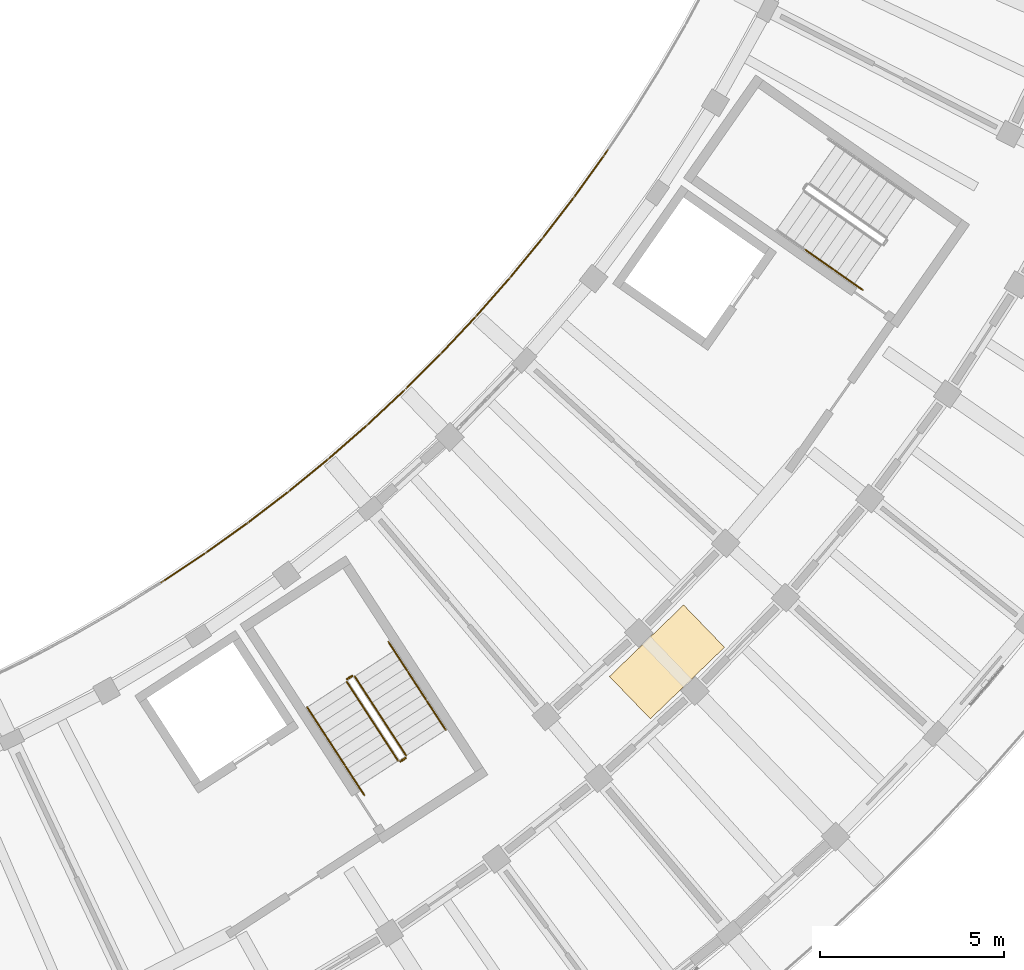
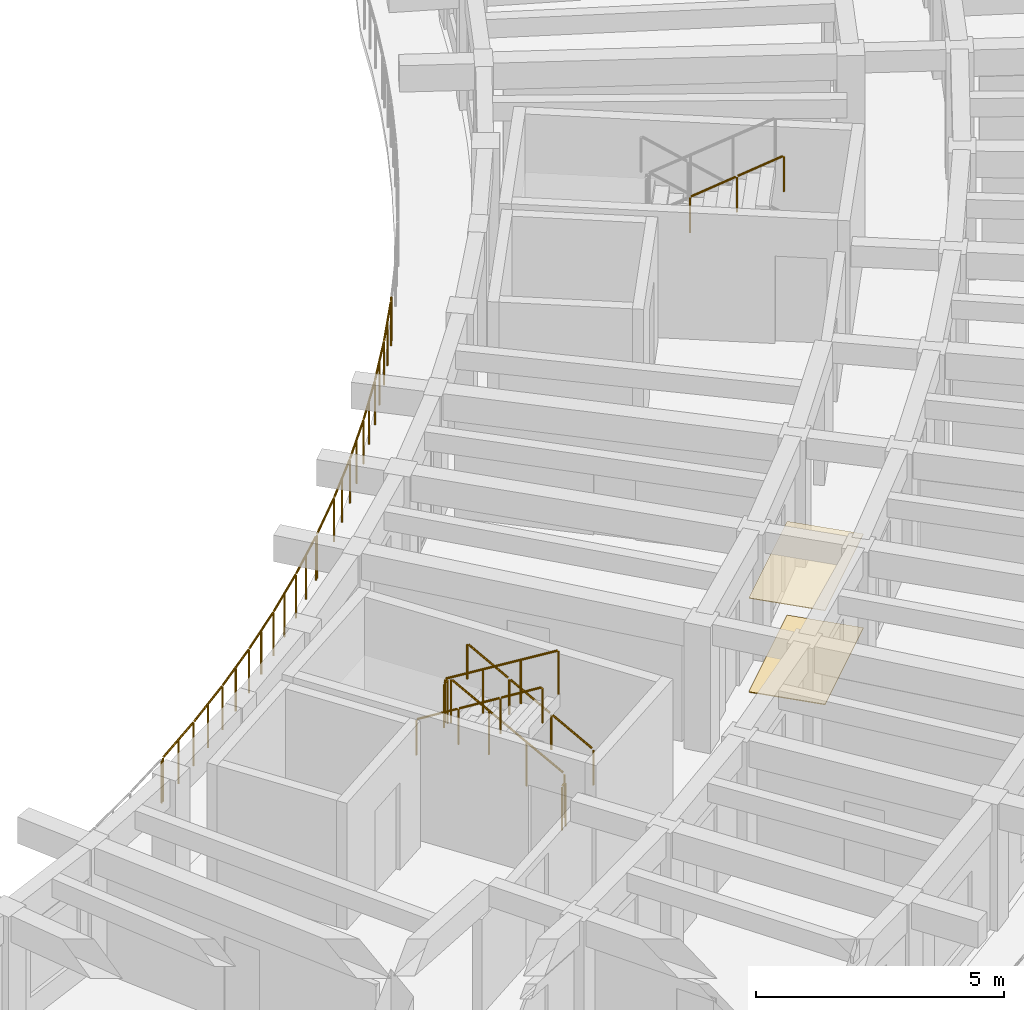
# One storey, part 75 of 81: 14 railings, 2 coverings.
"""IFC4 building model written with IfcOpenShell, lengths in metres."""

from ifc_helpers import new_model, si_unit, direction, frame, origin, origin_2d, place, context, subcontext, project, spatial, rectangle, circle, extrude, material, layer, layer_set, type_object, element, save


model = new_model("IFC4")

# Units and contexts
model_context = context("Model", 3, precision=1e-05, world=origin(), true_north=direction((0.0, 1.0)))
body_context = subcontext(model_context, "Body", "Model", "MODEL_VIEW")
ifc_project = project(units=[si_unit("LENGTHUNIT", "METRE"), si_unit("AREAUNIT", "SQUARE_METRE"), si_unit("VOLUMEUNIT", "CUBIC_METRE"), si_unit("PLANEANGLEUNIT", "RADIAN"), si_unit("MASSUNIT", "GRAM", prefix="KILO")], contexts=[model_context])

# Site, building, storey
site_placement = place(None, origin())
site = spatial("IfcSite", under=ifc_project, at=site_placement, CompositionType="ELEMENT")
building_placement = place(site_placement, origin())
building = spatial("IfcBuilding", under=site, at=building_placement, Name="Tanwirah Colonnade Gardens", CompositionType="ELEMENT")
storey_placement = place(building_placement, frame((0.0, 0.0, 18.919921875)))
storey = spatial("IfcBuildingStorey", under=building, at=storey_placement, Name="L05", CompositionType="ELEMENT", Elevation=18.919921875)

# Railings
ifc_material_1 = material(Name="Precast concrete C40/50", Category="concrete")
railing_type_1 = type_object("IfcRailingType", Name="BAL-EXT110", PredefinedType="BALUSTRADE", material=ifc_material_1)
railing_1_placement = place(storey_placement, frame((144.038330078125, 28.5732421875, 0.0)))
element("IfcRailing", 1, at=railing_1_placement, inside=storey, type_object=railing_type_1, Name="Block D L05 Balcony Ribbon Balustrade 3", PredefinedType="BALUSTRADE", context=body_context, shape_type="SweptSolid", body=[
    extrude(circle(Radius=0.02392578125, at=origin_2d()), frame((0.07763671875, 0.04931640625, 1.076171875), z_axis=(0.832077237554, 0.554659779274, 0.0), x_axis=(-0.554659779274, 0.832077237554, 0.0)), (0.0, 0.0, 1.0), 1.33154296875),
    extrude(circle(Radius=0.02392578125, at=origin_2d()), frame((1.239013671875, 0.82470703125, 1.076171875), z_axis=(0.813473063063, 0.581602592558, 0.0), x_axis=(-0.581602592558, 0.813473063063, 0.0)), (0.0, 0.0, 1.0), 1.33154296875),
    extrude(circle(Radius=0.02392578125, at=origin_2d()), frame((2.374755859375, 1.637939453125, 1.076171875), z_axis=(0.793969886309, 0.607957087001, 0.0), x_axis=(-0.607957087001, 0.793969886309, 0.0)), (0.0, 0.0, 1.0), 1.331298828125),
    extrude(circle(Radius=0.02392578125, at=origin_2d()), frame((3.48291015625, 2.48779296875, 1.076171875), z_axis=(0.773762182392, 0.633476191424, 0.0), x_axis=(-0.633476191424, 0.773762182392, 0.0)), (0.0, 0.0, 1.0), 1.33154296875),
    extrude(circle(Radius=0.02392578125, at=origin_2d()), frame((4.562744140625, 3.373291015625, 1.076171875), z_axis=(0.752565845379, 0.658517006894, 0.0), x_axis=(-0.658517006894, 0.752565845379, 0.0)), (0.0, 0.0, 1.0), 1.33154296875),
    extrude(circle(Radius=0.02392578125, at=origin_2d()), frame((5.61328125, 4.2939453125, 1.076171875), z_axis=(0.730612417562, 0.682792424756, 0.0), x_axis=(-0.682792424756, 0.730612417562, 0.0)), (0.0, 0.0, 1.0), 1.331298828125),
    extrude(circle(Radius=0.02099609375, at=origin_2d()), origin(), (0.0, 0.0, 1.0), 1.049072265625),
    extrude(circle(Radius=0.02099609375, at=origin_2d()), frame((0.051513671875, 0.031982421875, 0.0)), (0.0, 0.0, 1.0), 1.049072265625),
    extrude(circle(Radius=0.02099609375, at=origin_2d()), frame((0.63134765625, 0.41845703125, 0.0)), (0.0, 0.0, 1.0), 1.049072265625),
    extrude(circle(Radius=0.02099609375, at=origin_2d()), frame((1.21142578125, 0.80517578125, 0.0)), (0.0, 0.0, 1.0), 1.049072265625),
    extrude(circle(Radius=0.02099609375, at=origin_2d()), frame((1.78076171875, 1.2119140625, 0.0)), (0.0, 0.0, 1.0), 1.049072265625),
    extrude(circle(Radius=0.02099609375, at=origin_2d()), frame((2.34765625, 1.617431640625, 0.0)), (0.0, 0.0, 1.0), 1.049072265625),
    extrude(circle(Radius=0.02099609375, at=origin_2d()), frame((2.9033203125, 2.04248046875, 0.0)), (0.0, 0.0, 1.0), 1.049072265625),
    extrude(circle(Radius=0.02099609375, at=origin_2d()), frame((3.45654296875, 2.46630859375, 0.0)), (0.0, 0.0, 1.0), 1.049072265625),
    extrude(circle(Radius=0.02099609375, at=origin_2d()), frame((3.998046875, 2.90966796875, 0.0)), (0.0, 0.0, 1.0), 1.049072265625),
    extrude(circle(Radius=0.02099609375, at=origin_2d()), frame((4.537353515625, 3.35107421875, 0.0)), (0.0, 0.0, 1.0), 1.049072265625),
    extrude(circle(Radius=0.02099609375, at=origin_2d()), frame((5.06396484375, 3.811767578125, 0.0)), (0.0, 0.0, 1.0), 1.049072265625),
    extrude(circle(Radius=0.02099609375, at=origin_2d()), frame((5.58837890625, 4.270751953125, 0.0)), (0.0, 0.0, 1.0), 1.049072265625),
    extrude(circle(Radius=0.02099609375, at=origin_2d()), frame((6.099609375, 4.74853515625, 0.0)), (0.0, 0.0, 1.0), 1.049072265625),
    extrude(circle(Radius=0.02099609375, at=origin_2d()), frame((6.608642578125, 5.224365234375, 0.0)), (0.0, 0.0, 1.0), 1.049072265625),
    extrude(circle(Radius=0.02099609375, at=origin_2d()), frame((6.652587890625, 5.268310546875, 0.0)), (0.0, 0.0, 1.0), 1.049072265625),
])
railing_2_placement = place(storey_placement, frame((150.69091796875, 33.841552734375, 0.0)))
element("IfcRailing", 2, at=railing_2_placement, inside=storey, type_object=railing_type_1, Name="Block D L05 Balcony Ribbon Balustrade 4", PredefinedType="BALUSTRADE", context=body_context, shape_type="SweptSolid", body=[
    extrude(circle(Radius=0.02392578125, at=origin_2d()), frame((0.022216796875, 0.02197265625, 1.076171875), z_axis=(0.707929475849, 0.706283128231, 0.0), x_axis=(-0.706283128231, 0.707929475849, 0.0)), (0.0, 0.0, 1.0), 1.272216796875),
    extrude(circle(Radius=0.02392578125, at=origin_2d()), frame((0.968017578125, 0.96728515625, 1.076171875), z_axis=(0.684424509294, 0.729083733928, 0.0), x_axis=(-0.729083733928, 0.684424509294, 0.0)), (0.0, 0.0, 1.0), 1.33154296875),
    extrude(circle(Radius=0.02392578125, at=origin_2d()), frame((1.923095703125, 1.986328125, 1.076171875), z_axis=(0.660288280901, 0.751012240982, 0.0), x_axis=(-0.751012240982, 0.660288280901, 0.0)), (0.0, 0.0, 1.0), 1.33154296875),
    extrude(circle(Radius=0.02392578125, at=origin_2d()), frame((2.84423828125, 3.0361328125, 1.076171875), z_axis=(0.635209885743, 0.77233956331, 0.0), x_axis=(-0.77233956331, 0.635209885743, 0.0)), (0.0, 0.0, 1.0), 1.33154296875),
    extrude(circle(Radius=0.02392578125, at=origin_2d()), frame((3.730712890625, 4.115478515625, 1.076171875), z_axis=(0.609651512095, 0.792669561546, 0.0), x_axis=(-0.792669561546, 0.609651512095, 0.0)), (0.0, 0.0, 1.0), 1.33154296875),
    extrude(circle(Radius=0.02392578125, at=origin_2d()), frame((4.581298828125, 5.22314453125, 1.076171875), z_axis=(0.58342309678, 0.812168387802, 0.0), x_axis=(-0.812168387802, 0.58342309678, 0.0)), (0.0, 0.0, 1.0), 1.331298828125),
    extrude(circle(Radius=0.02392578125, at=origin_2d()), frame((5.39501953125, 6.35791015625, 1.076171875), z_axis=(0.557206672458, 0.830373846029, 0.0), x_axis=(-0.830373846029, 0.557206672458, 0.0)), (0.0, 0.0, 1.0), 0.1171875),
    extrude(circle(Radius=0.02099609375, at=origin_2d()), origin(), (0.0, 0.0, 1.0), 1.049072265625),
    extrude(circle(Radius=0.02099609375, at=origin_2d()), frame((0.94482421875, 0.942626953125, 0.0)), (0.0, 0.0, 1.0), 1.049072265625),
    extrude(circle(Radius=0.02099609375, at=origin_2d()), frame((1.423583984375, 1.45263671875, 0.0)), (0.0, 0.0, 1.0), 1.049072265625),
    extrude(circle(Radius=0.02099609375, at=origin_2d()), frame((1.900634765625, 1.9609375, 0.0)), (0.0, 0.0, 1.0), 1.049072265625),
    extrude(circle(Radius=0.02099609375, at=origin_2d()), frame((2.362548828125, 2.486328125, 0.0)), (0.0, 0.0, 1.0), 1.049072265625),
    extrude(circle(Radius=0.02099609375, at=origin_2d()), frame((2.82275390625, 3.009765625, 0.0)), (0.0, 0.0, 1.0), 1.049072265625),
    extrude(circle(Radius=0.02099609375, at=origin_2d()), frame((3.26708984375, 3.55029296875, 0.0)), (0.0, 0.0, 1.0), 1.049072265625),
    extrude(circle(Radius=0.02099609375, at=origin_2d()), frame((3.7099609375, 4.088623046875, 0.0)), (0.0, 0.0, 1.0), 1.049072265625),
    extrude(circle(Radius=0.02099609375, at=origin_2d()), frame((4.13671875, 4.64306640625, 0.0)), (0.0, 0.0, 1.0), 1.049072265625),
    extrude(circle(Radius=0.02099609375, at=origin_2d()), frame((4.5615234375, 5.195556640625, 0.0)), (0.0, 0.0, 1.0), 1.049072265625),
    extrude(circle(Radius=0.02099609375, at=origin_2d()), frame((4.9697265625, 5.763671875, 0.0)), (0.0, 0.0, 1.0), 1.049072265625),
    extrude(circle(Radius=0.02099609375, at=origin_2d()), frame((5.376220703125, 6.329833984375, 0.0)), (0.0, 0.0, 1.0), 1.049072265625),
    extrude(circle(Radius=0.02099609375, at=origin_2d()), frame((5.477783203125, 6.481201171875, 0.0)), (0.0, 0.0, 1.0), 1.049072265625),
])

# Coverings
ifc_material_2 = material(Name="Acoustic perforated gypsum ceiling board")
ifc_layer_1 = layer(ifc_material_2, 0.014892578125)
ifc_layer_set_1 = layer_set([ifc_layer_1], Name="Acoustic perforated gypsum ceiling board")
covering_type_1 = type_object("IfcCoveringType", Name="COV-CEIL15", PredefinedType="CEILING", material=ifc_layer_set_1)
covering_1_placement = place(storey_placement, frame((157.7822265625, 26.410888671875, 2.3125), z_axis=(0.0, 0.0, 1.0), x_axis=(0.719339800339, 0.694658370459, 0.0)))
element("IfcCovering", 3, at=covering_1_placement, inside=storey, type_object=covering_type_1, Name="Block D L05 Corridor Acoustic Ceiling", PredefinedType="CEILING", context=body_context, shape_type="SweptSolid", body=[
    extrude(rectangle(XDim=2.800048828125, YDim=1.60009765625, at=origin_2d()), origin(), (0.0, 0.0, 1.0), 0.014892578125),
])
ifc_material_3 = material(Name="Honed Abu Dhabi limestone terrazzo flooring", Category="masonry")
ifc_layer_2 = layer(ifc_material_3, 0.02001953125)
ifc_layer_set_2 = layer_set([ifc_layer_2], Name="Honed Abu Dhabi limestone terrazzo flooring")
covering_type_2 = type_object("IfcCoveringType", Name="COV-FLR20", PredefinedType="FLOORING", material=ifc_layer_set_2)
covering_2_placement = place(storey_placement, frame((157.7822265625, 26.410888671875, 0.0), z_axis=(0.0, 0.0, 1.0), x_axis=(0.719339800339, 0.694658370459, 0.0)))
element("IfcCovering", 4, at=covering_2_placement, inside=storey, type_object=covering_type_2, Name="Block D L05 Corridor Terrazzo Flooring", PredefinedType="FLOORING", context=body_context, shape_type="SweptSolid", body=[
    extrude(rectangle(XDim=2.800048828125, YDim=1.60009765625, at=origin_2d()), origin(), (0.0, 0.0, 1.0), 0.02001953125),
])

# Railings
ifc_material_4 = material(Name="Powder-coated galvanized steel", Category="steel")
railing_type_2 = type_object("IfcRailingType", Name="GRD-ST110", PredefinedType="GUARDRAIL", material=ifc_material_4)
railing_3_placement = place(storey_placement, frame((150.691162109375, 23.865478515625, 0.16796875)))
element("IfcRailing", 5, at=railing_3_placement, inside=storey, type_object=railing_type_2, Name="L05 ST-D1 stair guard 1", PredefinedType="GUARDRAIL", context=body_context, shape_type="SweptSolid", body=[
    extrude(circle(Radius=0.02392578125, at=origin_2d()), frame((-0.0146484375, 0.022705078125, 1.092041015625), z_axis=(-0.469173019163, 0.722454294275, 0.507874463596), x_axis=(-0.838667537708, -0.544643701143, 0.0)), (0.0, 0.0, 1.0), 2.9150390625),
    extrude(circle(Radius=0.02099609375, at=origin_2d()), origin(), (0.0, 0.0, 1.0), 1.049072265625),
    extrude(circle(Radius=0.02099609375, at=origin_2d()), frame((-0.465576171875, 0.717041015625, 0.504150390625)), (0.0, 0.0, 1.0), 1.049072265625),
    extrude(circle(Radius=0.02099609375, at=origin_2d()), frame((-0.931396484375, 1.43408203125, 1.008056640625)), (0.0, 0.0, 1.0), 1.049072265625),
    extrude(circle(Radius=0.02099609375, at=origin_2d()), frame((-1.39697265625, 2.151123046875, 1.51220703125)), (0.0, 0.0, 1.0), 1.049072265625),
])
railing_4_placement = place(storey_placement, frame((149.22509765625, 26.03125, 1.68017578125)))
element("IfcRailing", 6, at=railing_4_placement, inside=storey, type_object=railing_type_2, Name="L05 ST-D1 stair guard 2", PredefinedType="GUARDRAIL", context=body_context, shape_type="SweptSolid", body=[
    extrude(circle(Radius=0.02392578125, at=origin_2d()), frame((-0.026123046875, -0.01708984375, 1.076171875), z_axis=(-0.838791880614, -0.544452184326, 0.0), x_axis=(0.544452184326, -0.838791880614, 0.0)), (0.0, 0.0, 1.0), 0.09765625),
    extrude(circle(Radius=0.02099609375, at=origin_2d()), origin(), (0.0, 0.0, 1.0), 1.049072265625),
    extrude(circle(Radius=0.02099609375, at=origin_2d()), frame((-0.13427734375, -0.087158203125, 0.0)), (0.0, 0.0, 1.0), 1.049072265625),
])
railing_5_placement = place(storey_placement, frame((149.076171875, 25.875, 1.84814453125)))
element("IfcRailing", 7, at=railing_5_placement, inside=storey, type_object=railing_type_2, Name="L05 ST-D1 stair guard 3", PredefinedType="GUARDRAIL", context=body_context, shape_type="SweptSolid", body=[
    extrude(circle(Radius=0.02392578125, at=origin_2d()), frame((0.0146484375, -0.022705078125, 1.092041015625), z_axis=(0.469192556557, -0.722484378858, 0.507813614603), x_axis=(0.838667537708, 0.544643701143, 0.0)), (0.0, 0.0, 1.0), 2.914794921875),
    extrude(circle(Radius=0.02099609375, at=origin_2d()), origin(), (0.0, 0.0, 1.0), 1.049072265625),
    extrude(circle(Radius=0.02099609375, at=origin_2d()), frame((0.465576171875, -0.717041015625, 0.50390625)), (0.0, 0.0, 1.0), 1.049072265625),
    extrude(circle(Radius=0.02099609375, at=origin_2d()), frame((0.931396484375, -1.43408203125, 1.008056640625)), (0.0, 0.0, 1.0), 1.049072265625),
    extrude(circle(Radius=0.02099609375, at=origin_2d()), frame((1.39697265625, -2.151123046875, 1.511962890625)), (0.0, 0.0, 1.0), 1.049072265625),
])
railing_6_placement = place(storey_placement, frame((150.676513671875, 23.79638671875, 0.0)))
element("IfcRailing", 8, at=railing_6_placement, inside=storey, type_object=railing_type_2, Name="L05 ST-D1 stair guard 4", PredefinedType="GUARDRAIL", context=body_context, shape_type="SweptSolid", body=[
    extrude(circle(Radius=0.02392578125, at=origin_2d()), frame((-0.026123046875, -0.01708984375, 1.076171875), z_axis=(-0.838791880614, -0.544452184326, 0.0), x_axis=(0.544452184326, -0.838791880614, 0.0)), (0.0, 0.0, 1.0), 0.09765625),
    extrude(circle(Radius=0.02099609375, at=origin_2d()), origin(), (0.0, 0.0, 1.0), 1.049072265625),
    extrude(circle(Radius=0.02099609375, at=origin_2d()), frame((-0.13427734375, -0.087158203125, 0.0)), (0.0, 0.0, 1.0), 1.049072265625),
])
ifc_material_5 = material(Name="Brushed bronze stainless steel", Category="steel")
railing_type_3 = type_object("IfcRailingType", Name="HR-ST090", PredefinedType="HANDRAIL", material=ifc_material_5)
railing_7_placement = place(storey_placement, frame((151.7646484375, 24.5625, 0.16796875)))
element("IfcRailing", 9, at=railing_7_placement, inside=storey, type_object=railing_type_3, Name="L05 ST-D1 stair handrail 1", PredefinedType="HANDRAIL", context=body_context, shape_type="SweptSolid", body=[
    extrude(circle(Radius=0.02392578125, at=origin_2d()), frame((-0.0146484375, 0.0224609375, 0.891845703125), z_axis=(-0.467762236297, 0.720517196448, 0.511911574315), x_axis=(-0.838748777278, -0.544518584269, 0.0)), (0.0, 0.0, 1.0), 1.04345703125),
    extrude(circle(Radius=0.02099609375, at=origin_2d()), origin(), (0.0, 0.0, 1.0), 0.848876953125),
    extrude(circle(Radius=0.02099609375, at=origin_2d()), frame((-0.517333984375, 0.796875, 0.566162109375)), (0.0, 0.0, 1.0), 0.848876953125),
])
railing_8_placement = place(storey_placement, frame((151.247314453125, 25.359375, 0.734130859375)))
element("IfcRailing", 10, at=railing_8_placement, inside=storey, type_object=railing_type_3, Name="L05 ST-D1 stair handrail 2", PredefinedType="HANDRAIL", context=body_context, shape_type="SweptSolid", body=[
    extrude(circle(Radius=0.02392578125, at=origin_2d()), frame((-0.0146484375, 0.0224609375, 0.891845703125), z_axis=(-0.467889522294, 0.720492454576, 0.511830067333), x_axis=(-0.838672561027, -0.544635965926, 0.0)), (0.0, 0.0, 1.0), 1.043212890625),
    extrude(circle(Radius=0.02099609375, at=origin_2d()), origin(), (0.0, 0.0, 1.0), 0.848876953125),
    extrude(circle(Radius=0.02099609375, at=origin_2d()), frame((-0.517333984375, 0.796630859375, 0.56591796875)), (0.0, 0.0, 1.0), 0.848876953125),
])
railing_9_placement = place(storey_placement, frame((150.72998046875, 26.156005859375, 1.300048828125)))
element("IfcRailing", 11, at=railing_9_placement, inside=storey, type_object=railing_type_3, Name="L05 ST-D1 stair handrail 3", PredefinedType="HANDRAIL", context=body_context, shape_type="SweptSolid", body=[
    extrude(circle(Radius=0.02392578125, at=origin_2d()), frame((-0.0146484375, 0.0224609375, 0.891845703125), z_axis=(-0.467987521127, 0.720524183471, 0.511695789609), x_axis=(-0.838631412534, -0.544699324317, 0.0)), (0.0, 0.0, 1.0), 1.04345703125),
    extrude(circle(Radius=0.02099609375, at=origin_2d()), origin(), (0.0, 0.0, 1.0), 0.848876953125),
    extrude(circle(Radius=0.02099609375, at=origin_2d()), frame((-0.517578125, 0.796875, 0.56591796875)), (0.0, 0.0, 1.0), 0.848876953125),
])
railing_10_placement = place(storey_placement, frame((148.002685546875, 25.177978515625, 1.84814453125)))
element("IfcRailing", 12, at=railing_10_placement, inside=storey, type_object=railing_type_3, Name="L05 ST-D1 stair handrail 4", PredefinedType="HANDRAIL", context=body_context, shape_type="SweptSolid", body=[
    extrude(circle(Radius=0.02392578125, at=origin_2d()), frame((0.0146484375, -0.0224609375, 0.891845703125), z_axis=(0.467815092293, -0.720598613141, 0.511748647445), x_axis=(0.838748777278, 0.544518584269, 0.0)), (0.0, 0.0, 1.0), 1.043212890625),
    extrude(circle(Radius=0.02099609375, at=origin_2d()), origin(), (0.0, 0.0, 1.0), 0.848876953125),
    extrude(circle(Radius=0.02099609375, at=origin_2d()), frame((0.517333984375, -0.796875, 0.56591796875)), (0.0, 0.0, 1.0), 0.848876953125),
])
railing_11_placement = place(storey_placement, frame((148.52001953125, 24.381103515625, 2.4140625)))
element("IfcRailing", 13, at=railing_11_placement, inside=storey, type_object=railing_type_3, Name="L05 ST-D1 stair handrail 5", PredefinedType="HANDRAIL", context=body_context, shape_type="SweptSolid", body=[
    extrude(circle(Radius=0.02392578125, at=origin_2d()), frame((0.0146484375, -0.0224609375, 0.891845703125), z_axis=(0.468061963177, -0.720418012192, 0.511777184266), x_axis=(0.838555156357, 0.544816712067, 0.0)), (0.0, 0.0, 1.0), 1.043212890625),
    extrude(circle(Radius=0.02099609375, at=origin_2d()), origin(), (0.0, 0.0, 1.0), 0.848876953125),
    extrude(circle(Radius=0.02099609375, at=origin_2d()), frame((0.517578125, -0.796630859375, 0.56591796875)), (0.0, 0.0, 1.0), 0.848876953125),
])
railing_12_placement = place(storey_placement, frame((149.03759765625, 23.58447265625, 2.97998046875)))
element("IfcRailing", 14, at=railing_12_placement, inside=storey, type_object=railing_type_3, Name="L05 ST-D1 stair handrail 6", PredefinedType="HANDRAIL", context=body_context, shape_type="SweptSolid", body=[
    extrude(circle(Radius=0.02392578125, at=origin_2d()), frame((0.0146484375, -0.0224609375, 0.891845703125), z_axis=(0.467762236297, -0.720517196448, 0.511911574315), x_axis=(0.838748777278, 0.544518584269, 0.0)), (0.0, 0.0, 1.0), 1.04345703125),
    extrude(circle(Radius=0.02099609375, at=origin_2d()), origin(), (0.0, 0.0, 1.0), 0.848876953125),
    extrude(circle(Radius=0.02099609375, at=origin_2d()), frame((0.517333984375, -0.796875, 0.566162109375)), (0.0, 0.0, 1.0), 0.848876953125),
])
railing_13_placement = place(storey_placement, frame((161.544921875, 37.611572265625, 2.4140625)))
element("IfcRailing", 15, at=railing_13_placement, inside=storey, type_object=railing_type_3, Name="L05 ST-D2 stair handrail 5", PredefinedType="HANDRAIL", context=body_context, shape_type="SweptSolid", body=[
    extrude(circle(Radius=0.02392578125, at=origin_2d()), frame((0.02197265625, -0.015380859375, 0.891845703125), z_axis=(0.703797483594, -0.492746544348, 0.511732298297), x_axis=(0.573531324472, 0.819183630115, 0.0)), (0.0, 0.0, 1.0), 1.04345703125),
    extrude(circle(Radius=0.02099609375, at=origin_2d()), origin(), (0.0, 0.0, 1.0), 0.848876953125),
    extrude(circle(Radius=0.02099609375, at=origin_2d()), frame((0.7783203125, -0.544921875, 0.56591796875)), (0.0, 0.0, 1.0), 0.848876953125),
])
railing_14_placement = place(storey_placement, frame((162.3232421875, 37.066650390625, 2.97998046875)))
element("IfcRailing", 16, at=railing_14_placement, inside=storey, type_object=railing_type_3, Name="L05 ST-D2 stair handrail 6", PredefinedType="HANDRAIL", context=body_context, shape_type="SweptSolid", body=[
    extrude(circle(Radius=0.02392578125, at=origin_2d()), frame((0.02197265625, -0.015380859375, 0.891845703125), z_axis=(0.70368305994, -0.492600221753, 0.512030441168), x_axis=(0.573479595945, 0.819219844141, 0.0)), (0.0, 0.0, 1.0), 1.043212890625),
    extrude(circle(Radius=0.02099609375, at=origin_2d()), origin(), (0.0, 0.0, 1.0), 0.848876953125),
    extrude(circle(Radius=0.02099609375, at=origin_2d()), frame((0.778076171875, -0.544677734375, 0.566162109375)), (0.0, 0.0, 1.0), 0.848876953125),
])

save(model, "model.ifc")
